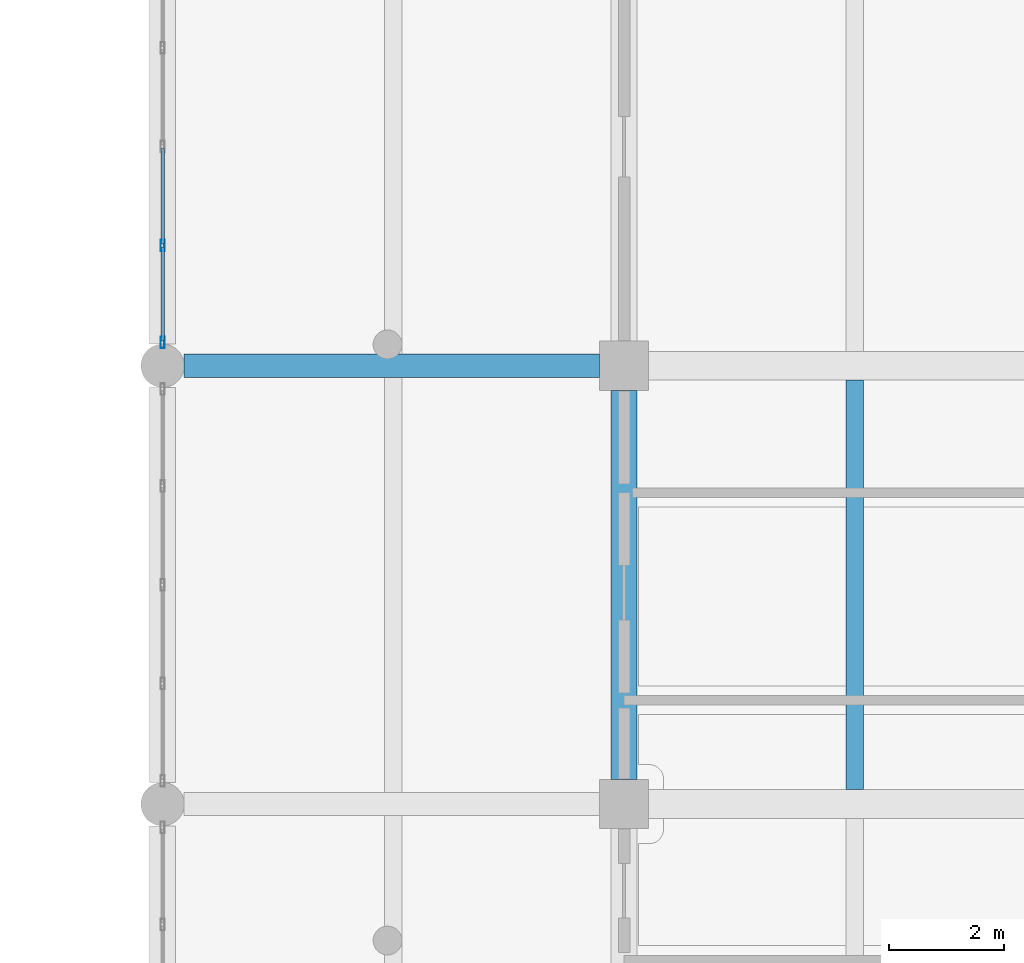
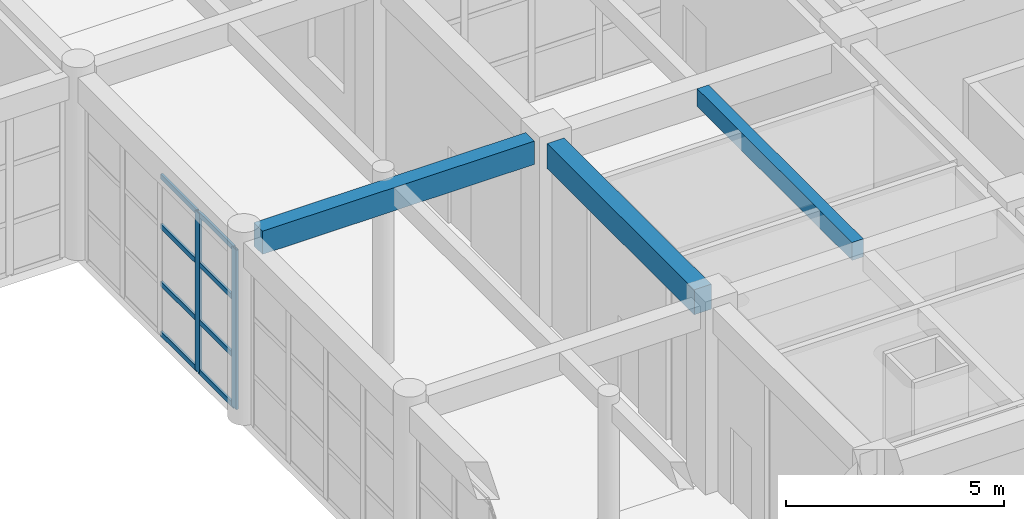
# One storey, part 27 of 95: 10 members, 3 beams, 1 element without a shape of its own.
"""IFC4 building model written with IfcOpenShell, lengths in metres."""

import ifcopenshell
import ifcopenshell.guid

model = None  # the IFC model being written
_history = None  # IfcOwnerHistory: only IFC2X3 demands one
_inside = {}  # id of a spatial element -> (the spatial element, [elements in it])
_under = {}  # id of a project, library or spatial element -> (it, [spatial elements below it])
_declared = {}  # id of a project -> (the project, [libraries it declares])
_typed = {}  # id of a type object -> (the type object, [elements of that type])
_made_of = {}  # id of a material, layer set ... -> (it, [elements and type objects made of it])


def new_model(schema):
    """Start an empty IFC model of exactly this schema.

    Asked for "IFC4X3", IfcOpenShell would pick the latest addendum, in which some entities
    have other attributes; the version numbers below select the first issue.
    IFC2X3 requires an IfcOwnerHistory on every rooted entity: one is made here for all.
    """
    global model, _history
    if schema == "IFC4X3":
        model = ifcopenshell.file(schema_version=(4, 3, 0, 0))
    else:
        model = ifcopenshell.file(schema=schema)
    _inside.clear()
    _under.clear()
    _declared.clear()
    _typed.clear()
    _made_of.clear()
    _history = None
    if model.schema == "IFC2X3":
        org = make("IfcOrganization", Name="unknown")
        user = make(
            "IfcPersonAndOrganization",
            ThePerson=make("IfcPerson", FamilyName="unknown"),
            TheOrganization=org,
        )
        app = make(
            "IfcApplication",
            ApplicationDeveloper=org,
            Version="unknown",
            ApplicationFullName="unknown",
            ApplicationIdentifier="unknown",
        )
        _history = make(
            "IfcOwnerHistory",
            OwningUser=user,
            OwningApplication=app,
            ChangeAction="ADDED",
            CreationDate=0,
        )
    return model


def make(cls, **values):
    """One entity of the class cls with the attributes given. An attribute that is None is left unset."""
    return model.create_entity(
        cls, **{name: value for name, value in values.items() if value is not None}
    )


def rooted(cls, **values):
    """An entity with a GlobalId (a new one), such as an element, a storey or a relation."""
    return make(cls, GlobalId=ifcopenshell.guid.new(), OwnerHistory=_history, **values)


def si_unit(unit_type, name, prefix=None):
    """IfcSIUnit, for example si_unit("LENGTHUNIT", "METRE", prefix="MILLI")."""
    return make("IfcSIUnit", UnitType=unit_type, Prefix=prefix, Name=name)


def assignment(units):
    """IfcUnitAssignment: the units of a project."""
    return None if units is None else make("IfcUnitAssignment", Units=units)


def point(xyz):
    """IfcCartesianPoint."""
    return None if xyz is None else make("IfcCartesianPoint", Coordinates=xyz)


def direction(xyz):
    """IfcDirection."""
    return None if xyz is None else make("IfcDirection", DirectionRatios=xyz)


def frame(location, z_axis=None, x_axis=None):
    """IfcAxis2Placement3D, a coordinate frame: its origin and axes. An axis left out is left unset."""
    return make(
        "IfcAxis2Placement3D",
        Location=point(location),
        Axis=direction(z_axis),
        RefDirection=direction(x_axis),
    )


def frame_2d(location, x_axis=None):
    """IfcAxis2Placement2D, a coordinate frame in the plane: its origin and x axis."""
    return make(
        "IfcAxis2Placement2D", Location=point(location), RefDirection=direction(x_axis)
    )


def origin():
    """The frame at (0, 0, 0) with its axes left unset."""
    return frame((0.0, 0.0, 0.0))


def origin_2d():
    """The frame at (0, 0) in the plane with its x axis left unset."""
    return frame_2d((0.0, 0.0))


def place(relative_to, where):
    """IfcLocalPlacement: puts the frame where relative to a parent placement (None: the world)."""
    return make(
        "IfcLocalPlacement", PlacementRelTo=relative_to, RelativePlacement=where
    )


def context(
    kind, dimensions, precision=None, world=None, true_north=None, identifier=None
):
    """IfcGeometricRepresentationContext, for example the 3D "Model" context."""
    return make(
        "IfcGeometricRepresentationContext",
        ContextIdentifier=identifier,
        ContextType=kind,
        CoordinateSpaceDimension=dimensions,
        Precision=precision,
        WorldCoordinateSystem=world,
        TrueNorth=true_north,
    )


def subcontext(parent, identifier, kind, view, scale=None):
    """IfcGeometricRepresentationSubContext, for example "Body" below "Model"."""
    return make(
        "IfcGeometricRepresentationSubContext",
        ContextIdentifier=identifier,
        ContextType=kind,
        ParentContext=parent,
        TargetScale=scale,
        TargetView=view,
    )


def project(units=None, contexts=None):
    """IfcProject with its units and contexts."""
    return rooted(
        "IfcProject",
        Name="project",
        RepresentationContexts=contexts,
        UnitsInContext=assignment(units),
    )


def spatial(cls, under=None, at=None, **own):
    """A site, building, storey or space (cls), placed at a placement, below another one or the project."""
    s = rooted(cls, ObjectPlacement=at, **own)
    if under is not None:
        _under.setdefault(under.id(), (under, []))[1].append(s)
    return s


def profile(cls, at=None, kind="AREA", **sizes):
    """A parametric profile (cls). Its sizes go by their IFC names, for example OverallWidth=200.0."""
    return make(cls, ProfileType=kind, Position=at, **sizes)


def rectangle(**sizes):
    """IfcRectangleProfileDef."""
    return profile("IfcRectangleProfileDef", **sizes)


def hollow_rectangle(**sizes):
    """IfcRectangleHollowProfileDef."""
    return profile("IfcRectangleHollowProfileDef", **sizes)


def extrude(swept, where, along, depth):
    """IfcExtrudedAreaSolid: the profile swept, set in the frame where, extruded along a direction by depth."""
    return make(
        "IfcExtrudedAreaSolid",
        SweptArea=swept,
        Position=where,
        ExtrudedDirection=direction(along),
        Depth=depth,
    )


def shape(context_of_items, identifier, shape_type, items):
    """IfcShapeRepresentation: the items that make up one representation, for example the "Body"."""
    return make(
        "IfcShapeRepresentation",
        ContextOfItems=context_of_items,
        RepresentationIdentifier=identifier,
        RepresentationType=shape_type,
        Items=items,
    )


def material(Name=None, Category=None):
    """IfcMaterial."""
    return make("IfcMaterial", Name=Name, Category=Category)


def material_profile(
    of_material, cross_section, Name=None, Category=None, Priority=None
):
    """IfcMaterialProfile: a cross section and its material."""
    return make(
        "IfcMaterialProfile",
        Name=Name,
        Material=of_material,
        Profile=cross_section,
        Priority=Priority,
        Category=Category,
    )


def profile_set(profiles, Name=None, composite=None):
    """IfcMaterialProfileSet."""
    return make(
        "IfcMaterialProfileSet",
        Name=Name,
        MaterialProfiles=profiles,
        CompositeProfile=composite,
    )


def made_of(thing, what):
    """Note that an element or type object is made of a material, layer set ...; save() writes the relation."""
    if what is not None:
        _made_of.setdefault(what.id(), (what, []))[1].append(thing)
    return thing


def type_object(cls, material=None, **own):
    """A type object (cls), such as IfcWallType, which elements share."""
    return made_of(rooted(cls, **own), material)


def element(
    cls,
    number,
    at=None,
    inside=None,
    cuts=None,
    type_object=None,
    material=None,
    context=None,
    identifier="Body",
    shape_type=None,
    held_by="IfcProductDefinitionShape",
    body=None,
    shapes=None,
    **own,
):
    """One element of the class cls, such as IfcWall. Its Tag is "e" and its number.

    at: its placement. inside: the storey or other place that contains it. cuts: it is an
    opening in that element (IfcRelVoidsElement). A single representation is given by context,
    identifier, shape_type and body (its items); several are given by shapes. held_by: the class
    of the entity that holds the representations. save() writes the other relations.
    """
    e = rooted(cls, Tag="e%d" % number, ObjectPlacement=at, **own)
    if body is not None:
        shapes = [shape(context, identifier, shape_type, body)]
    if shapes is not None:
        e.Representation = make(held_by, Representations=shapes)
    if inside is not None:
        _inside.setdefault(inside.id(), (inside, []))[1].append(e)
    if cuts is not None:
        rooted(
            "IfcRelVoidsElement", RelatingBuildingElement=cuts, RelatedOpeningElement=e
        )
    if type_object is not None:
        _typed.setdefault(type_object.id(), (type_object, []))[1].append(e)
    return made_of(e, material)


def aggregate(whole, parts):
    """IfcRelAggregates: a whole, such as a stair, and the parts it consists of."""
    return rooted("IfcRelAggregates", RelatingObject=whole, RelatedObjects=parts)


def save(model, path):
    """Write the relations noted so far, then the file.

    IfcRelAggregates (storeys below a building ...), IfcRelContainedInSpatialStructure (elements
    in a storey), IfcRelDefinesByType, IfcRelAssociatesMaterial and IfcRelDeclares: one each for
    every whole, place, type object, material and project.
    """
    for whole, parts in _under.values():
        aggregate(whole, parts)
    for where, things in _inside.values():
        rooted(
            "IfcRelContainedInSpatialStructure",
            RelatedElements=things,
            RelatingStructure=where,
        )
    for kind, things in _typed.values():
        rooted("IfcRelDefinesByType", RelatedObjects=things, RelatingType=kind)
    for what, things in _made_of.values():
        rooted("IfcRelAssociatesMaterial", RelatedObjects=things, RelatingMaterial=what)
    for by, libraries in _declared.values():
        rooted("IfcRelDeclares", RelatingContext=by, RelatedDefinitions=libraries)
    model.write(path)


model = new_model("IFC4")

# Units and contexts
model_context = context("Model", 3, precision=1e-05, world=origin(), true_north=direction((0.0, 1.0)))
body_context = subcontext(model_context, "Body", "Model", "MODEL_VIEW")
ifc_project = project(units=[si_unit("LENGTHUNIT", "METRE"), si_unit("AREAUNIT", "SQUARE_METRE"), si_unit("VOLUMEUNIT", "CUBIC_METRE"), si_unit("PLANEANGLEUNIT", "RADIAN"), si_unit("MASSUNIT", "GRAM", prefix="KILO")], contexts=[model_context])

# Site, building, storey
site_placement = place(None, origin())
site = spatial("IfcSite", under=ifc_project, at=site_placement, CompositionType="ELEMENT")
building_placement = place(site_placement, origin())
building = spatial("IfcBuilding", under=site, at=building_placement, Name="Zantavel Square City Hall", CompositionType="ELEMENT")
storey_placement = place(building_placement, origin())
storey = spatial("IfcBuildingStorey", under=building, at=storey_placement, Name="L01", CompositionType="ELEMENT", Elevation=0.0)

# Curtain wall, members
ifc_material_1 = material(Name="Anodised aluminium 6063-T6", Category="aluminium")
curtain_wall_type = type_object("IfcCurtainWallType", Name="Curtain Wall CRT 6850x4460", PredefinedType="USERDEFINED", material=ifc_material_1)
curtain_wall_placement = place(storey_placement, origin())
curtain_wall = element("IfcCurtainWall", 1, at=curtain_wall_placement, inside=storey, type_object=curtain_wall_type, Name="L01 Glazed Curtain Wall CW-L01-017", ObjectType="GLAZED CURTAIN WALL", PredefinedType="USERDEFINED")
ifc_material_profile_1 = material_profile(ifc_material_1, hollow_rectangle(XDim=0.070068359375, YDim=0.199951171875, WallThickness=0.00439453125, at=origin_2d()), Name="ALU 70x200x4.5")
ifc_profile_set_1 = profile_set([ifc_material_profile_1], Name="Anodised aluminium 6063-T6")
member_type_1 = type_object("IfcMemberType", Name="CW Heavy Hall Mullion ALU 70x200x4.5", PredefinedType="MULLION", material=ifc_profile_set_1)
member_1_placement = place(storey_placement, frame((48.0, 61.205078125, 0.0), z_axis=(0.0, 0.0, 1.0), x_axis=(-1.0, 0.0, 0.0)))
member_1 = element("IfcMember", 2, at=member_1_placement, type_object=member_type_1, Name="CW-017 mullion 1", PredefinedType="MULLION", context=body_context, shape_type="SweptSolid", body=[
    extrude(hollow_rectangle(XDim=0.070068359375, YDim=0.199951171875, WallThickness=0.00439453125, at=origin_2d()), origin(), (0.0, 0.0, 1.0), 4.4599609375),
])
member_2_placement = place(storey_placement, frame((48.0, 62.887451171875, 0.0), z_axis=(0.0, 0.0, 1.0), x_axis=(-1.0, 0.0, 0.0)))
member_2 = element("IfcMember", 3, at=member_2_placement, type_object=member_type_1, Name="CW-017 mullion 2", PredefinedType="MULLION", context=body_context, shape_type="SweptSolid", body=[
    extrude(hollow_rectangle(XDim=0.070068359375, YDim=0.199951171875, WallThickness=0.00439453125, at=origin_2d()), origin(), (0.0, 0.0, 1.0), 4.4599609375),
])
ifc_material_profile_2 = material_profile(ifc_material_1, hollow_rectangle(XDim=0.06005859375, YDim=0.139892578125, WallThickness=0.00390625, at=origin_2d()), Name="ALU 60x140x4")
ifc_profile_set_2 = profile_set([ifc_material_profile_2], Name="Anodised aluminium 6063-T6")
member_type_2 = type_object("IfcMemberType", Name="CW Transom ALU 60x140x4", PredefinedType="USERDEFINED", material=ifc_profile_set_2)
member_3_placement = place(storey_placement, frame((48.0, 61.235107421875, 0.030029296875), z_axis=(0.0, 1.0, 0.0), x_axis=(-1.0, 0.0, 0.0)))
member_3 = element("IfcMember", 4, at=member_3_placement, type_object=member_type_2, Name="CW-017 transom 1.1", ObjectType="TRANSOM", PredefinedType="USERDEFINED", context=body_context, shape_type="SweptSolid", body=[
    extrude(hollow_rectangle(XDim=0.06005859375, YDim=0.139892578125, WallThickness=0.00390625, at=origin_2d()), origin(), (0.0, 0.0, 1.0), 1.622314453125),
])
member_4_placement = place(storey_placement, frame((48.0, 61.235107421875, 1.427001953125), z_axis=(0.0, 1.0, 0.0), x_axis=(-1.0, 0.0, 0.0)))
member_4 = element("IfcMember", 5, at=member_4_placement, type_object=member_type_2, Name="CW-017 transom 1.2", ObjectType="TRANSOM", PredefinedType="USERDEFINED", context=body_context, shape_type="SweptSolid", body=[
    extrude(hollow_rectangle(XDim=0.06005859375, YDim=0.139892578125, WallThickness=0.00390625, at=origin_2d()), origin(), (0.0, 0.0, 1.0), 1.622314453125),
])
member_5_placement = place(storey_placement, frame((48.0, 61.235107421875, 3.032958984375), z_axis=(0.0, 1.0, 0.0), x_axis=(-1.0, 0.0, 0.0)))
member_5 = element("IfcMember", 6, at=member_5_placement, type_object=member_type_2, Name="CW-017 transom 1.3", ObjectType="TRANSOM", PredefinedType="USERDEFINED", context=body_context, shape_type="SweptSolid", body=[
    extrude(hollow_rectangle(XDim=0.06005859375, YDim=0.139892578125, WallThickness=0.00390625, at=origin_2d()), origin(), (0.0, 0.0, 1.0), 1.622314453125),
])
member_6_placement = place(storey_placement, frame((48.0, 61.235107421875, 4.429931640625), z_axis=(0.0, 1.0, 0.0), x_axis=(-1.0, 0.0, 0.0)))
member_6 = element("IfcMember", 7, at=member_6_placement, type_object=member_type_2, Name="CW-017 transom 1.4", ObjectType="TRANSOM", PredefinedType="USERDEFINED", context=body_context, shape_type="SweptSolid", body=[
    extrude(hollow_rectangle(XDim=0.06005859375, YDim=0.139892578125, WallThickness=0.00390625, at=origin_2d()), origin(), (0.0, 0.0, 1.0), 1.622314453125),
])
member_7_placement = place(storey_placement, frame((48.0, 62.91748046875, 0.030029296875), z_axis=(0.0, 1.0, 0.0), x_axis=(-1.0, 0.0, 0.0)))
member_7 = element("IfcMember", 8, at=member_7_placement, type_object=member_type_2, Name="CW-017 transom 2.1", ObjectType="TRANSOM", PredefinedType="USERDEFINED", context=body_context, shape_type="SweptSolid", body=[
    extrude(hollow_rectangle(XDim=0.06005859375, YDim=0.139892578125, WallThickness=0.00390625, at=origin_2d()), origin(), (0.0, 0.0, 1.0), 1.652587890625),
])
member_8_placement = place(storey_placement, frame((48.0, 62.91748046875, 1.427001953125), z_axis=(0.0, 1.0, 0.0), x_axis=(-1.0, 0.0, 0.0)))
member_8 = element("IfcMember", 9, at=member_8_placement, type_object=member_type_2, Name="CW-017 transom 2.2", ObjectType="TRANSOM", PredefinedType="USERDEFINED", context=body_context, shape_type="SweptSolid", body=[
    extrude(hollow_rectangle(XDim=0.06005859375, YDim=0.139892578125, WallThickness=0.00390625, at=origin_2d()), origin(), (0.0, 0.0, 1.0), 1.652587890625),
])
member_9_placement = place(storey_placement, frame((48.0, 62.91748046875, 3.032958984375), z_axis=(0.0, 1.0, 0.0), x_axis=(-1.0, 0.0, 0.0)))
member_9 = element("IfcMember", 10, at=member_9_placement, type_object=member_type_2, Name="CW-017 transom 2.3", ObjectType="TRANSOM", PredefinedType="USERDEFINED", context=body_context, shape_type="SweptSolid", body=[
    extrude(hollow_rectangle(XDim=0.06005859375, YDim=0.139892578125, WallThickness=0.00390625, at=origin_2d()), origin(), (0.0, 0.0, 1.0), 1.652587890625),
])
member_10_placement = place(storey_placement, frame((48.0, 62.91748046875, 4.429931640625), z_axis=(0.0, 1.0, 0.0), x_axis=(-1.0, 0.0, 0.0)))
member_10 = element("IfcMember", 11, at=member_10_placement, type_object=member_type_2, Name="CW-017 transom 2.4", ObjectType="TRANSOM", PredefinedType="USERDEFINED", context=body_context, shape_type="SweptSolid", body=[
    extrude(hollow_rectangle(XDim=0.06005859375, YDim=0.139892578125, WallThickness=0.00390625, at=origin_2d()), origin(), (0.0, 0.0, 1.0), 1.652587890625),
])
aggregate(curtain_wall, [member_1, member_2, member_3, member_4, member_5, member_6, member_7, member_8, member_9, member_10])

# Beams
ifc_material_2 = material(Name="Concrete C35/45", Category="concrete")
ifc_material_profile_3 = material_profile(ifc_material_2, rectangle(XDim=0.300048828125, YDim=0.5, at=origin_2d()), Name="RC 300x500")
ifc_profile_set_3 = profile_set([ifc_material_profile_3], Name="Concrete C35/45")
beam_type_1 = type_object("IfcBeamType", Name="Floor Joist RC 300x500 C35/45", PredefinedType="JOIST", material=ifc_profile_set_3)
beam_1_placement = place(storey_placement, frame((60.0, 53.449951171875, 4.909912109375), z_axis=(0.0, 1.0, 0.0), x_axis=(-1.0, 0.0, 0.0)))
element("IfcBeam", 12, at=beam_1_placement, inside=storey, type_object=beam_type_1, Name="L01 Floor Joist JST-L01-0600-0532", PredefinedType="JOIST", context=body_context, shape_type="SweptSolid", body=[
    extrude(rectangle(XDim=0.300048828125, YDim=0.5, at=origin_2d()), origin(), (0.0, 0.0, 1.0), 7.10009765625),
])
ifc_material_profile_4 = material_profile(ifc_material_2, rectangle(XDim=0.39990234375, YDim=0.64990234375, at=origin_2d()), Name="RC 400x650")
ifc_profile_set_4 = profile_set([ifc_material_profile_4], Name="Concrete C35/45")
beam_type_2 = type_object("IfcBeamType", Name="Frame Beam RC 400x650 C35/45", PredefinedType="BEAM", material=ifc_profile_set_4)
beam_2_placement = place(storey_placement, frame((48.375, 60.800048828125, 4.8349609375), z_axis=(1.0, 0.0, 0.0), x_axis=(0.0, 1.0, 0.0)))
element("IfcBeam", 13, at=beam_2_placement, inside=storey, type_object=beam_type_2, Name="L01 Girder BMX-L01-0480-0608", PredefinedType="BEAM", context=body_context, shape_type="SweptSolid", body=[
    extrude(rectangle(XDim=0.39990234375, YDim=0.64990234375, at=origin_2d()), origin(), (0.0, 0.0, 1.0), 7.199951171875),
])
ifc_material_profile_5 = material_profile(ifc_material_2, rectangle(XDim=0.449951171875, YDim=0.699951171875, at=origin_2d()), Name="RC 450x700")
ifc_profile_set_5 = profile_set([ifc_material_profile_5], Name="Concrete C35/45")
beam_type_3 = type_object("IfcBeamType", Name="Primary Girder RC 450x700 C35/45", PredefinedType="BEAM", material=ifc_profile_set_5)
beam_3_placement = place(storey_placement, frame((56.0, 53.625, 4.81005859375), z_axis=(0.0, 1.0, 0.0), x_axis=(-1.0, 0.0, 0.0)))
element("IfcBeam", 14, at=beam_3_placement, inside=storey, type_object=beam_type_3, Name="L01 Beam BMY-L01-0560-0532", PredefinedType="BEAM", context=body_context, shape_type="SweptSolid", body=[
    extrude(rectangle(XDim=0.449951171875, YDim=0.699951171875, at=origin_2d()), origin(), (0.0, 0.0, 1.0), 6.75),
])

save(model, "model.ifc")
